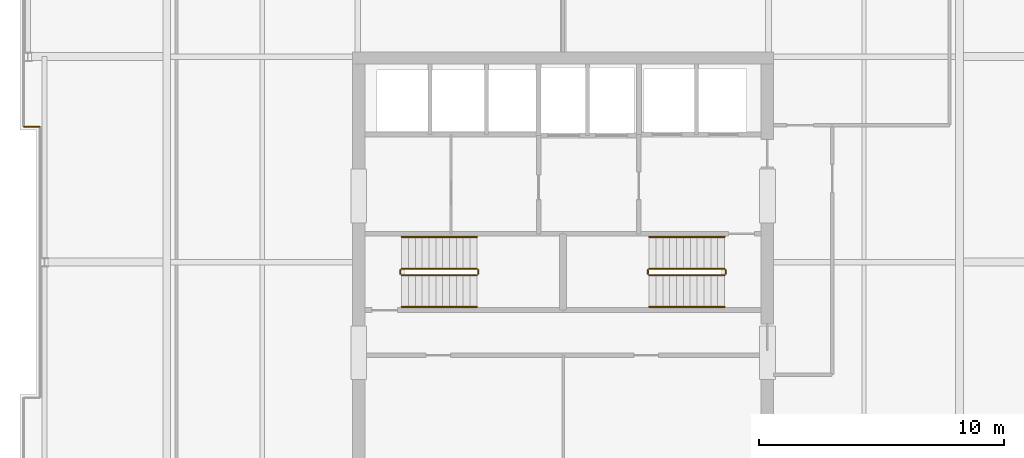
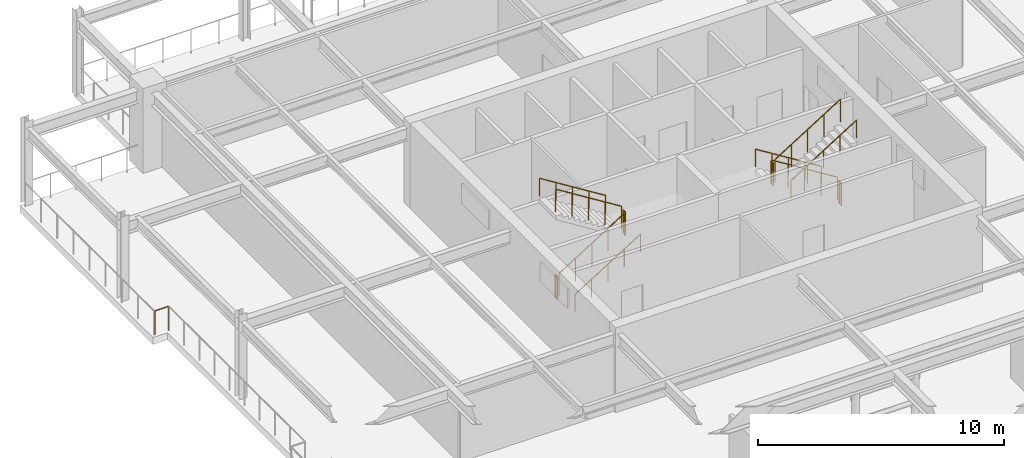
# One storey, part 12 of 13: 13 railings.
"""IFC4 building model written with IfcOpenShell, lengths in metres."""

from ifc_helpers import new_model, si_unit, direction, frame, origin, origin_2d, place, context, subcontext, project, spatial, circle, extrude, material, type_object, element, save


model = new_model("IFC4")

# Units and contexts
model_context = context("Model", 3, precision=1e-05, world=origin(), true_north=direction((0.0, 1.0)))
body_context = subcontext(model_context, "Body", "Model", "MODEL_VIEW")
ifc_project = project(units=[si_unit("LENGTHUNIT", "METRE"), si_unit("AREAUNIT", "SQUARE_METRE"), si_unit("VOLUMEUNIT", "CUBIC_METRE"), si_unit("PLANEANGLEUNIT", "RADIAN"), si_unit("MASSUNIT", "GRAM", prefix="KILO")], contexts=[model_context])

# Site, building, storey
site_placement = place(None, origin())
site = spatial("IfcSite", under=ifc_project, at=site_placement, CompositionType="ELEMENT")
building_placement = place(site_placement, origin())
building = spatial("IfcBuilding", under=site, at=building_placement, Name="Drelvath Grand Hotel", CompositionType="ELEMENT")
storey_placement = place(building_placement, frame((0.0, 0.0, 303.0)))
storey = spatial("IfcBuildingStorey", under=building, at=storey_placement, Name="L79", CompositionType="ELEMENT", Elevation=303.0)

# Railings
ifc_material_1 = material(Name="Painted Steel S275", Category="steel")
railing_type_1 = type_object("IfcRailingType", Name="Core Stair Wall Handrail 900", PredefinedType="HANDRAIL", material=ifc_material_1)
railing_1_placement = place(storey_placement, frame((-6.60009765625, 25.169921875, 0.175048828125)))
element("IfcRailing", 1, at=railing_1_placement, inside=storey, type_object=railing_type_1, Name="L79 ST-1 stair handrail 1", PredefinedType="HANDRAIL", context=body_context, shape_type="SweptSolid", body=[
    extrude(circle(Radius=0.02392578125, at=origin_2d()), frame((0.0, 0.0, 0.8759765625), z_axis=(0.847998304005, 0.0, 0.529998940003), x_axis=(0.0, 1.0, 0.0)), (0.0, 0.0, 1.0), 3.632080078125),
    extrude(circle(Radius=0.02099609375, at=origin_2d()), origin(), (0.0, 0.0, 1.0), 0.851806640625),
    extrude(circle(Radius=0.02099609375, at=origin_2d()), frame((0.77001953125, 0.0, 0.481201171875)), (0.0, 0.0, 1.0), 0.851806640625),
    extrude(circle(Radius=0.02099609375, at=origin_2d()), frame((1.5400390625, 0.0, 0.96240234375)), (0.0, 0.0, 1.0), 0.851806640625),
    extrude(circle(Radius=0.02099609375, at=origin_2d()), frame((2.31005859375, 0.0, 1.44384765625)), (0.0, 0.0, 1.0), 0.851806640625),
    extrude(circle(Radius=0.02099609375, at=origin_2d()), frame((3.080078125, 0.0, 1.925048828125)), (0.0, 0.0, 1.0), 0.851806640625),
])
for number, where, name in (
    (2, (-3.52001953125, 28.030029296875, 2.27490234375), "L79 ST-1 stair handrail 2"),
    (3, (6.60009765625, 28.030029296875, 0.175048828125), "L79 ST-2 stair handrail 1"),
):
    element("IfcRailing", number, at=place(storey_placement, frame(where)), inside=storey, type_object=railing_type_1, Name=name, PredefinedType="HANDRAIL", context=body_context, shape_type="SweptSolid", body=[
        extrude(circle(Radius=0.02392578125, at=origin_2d()), frame((0.0, 0.0, 0.8759765625), z_axis=(-0.847998304005, 0.0, 0.529998940003), x_axis=(0.0, -1.0, 0.0)), (0.0, 0.0, 1.0), 3.632080078125),
        extrude(circle(Radius=0.02099609375, at=origin_2d()), origin(), (0.0, 0.0, 1.0), 0.851806640625),
        extrude(circle(Radius=0.02099609375, at=origin_2d()), frame((-0.77001953125, 0.0, 0.481201171875)), (0.0, 0.0, 1.0), 0.851806640625),
        extrude(circle(Radius=0.02099609375, at=origin_2d()), frame((-1.5400390625, 0.0, 0.96240234375)), (0.0, 0.0, 1.0), 0.851806640625),
        extrude(circle(Radius=0.02099609375, at=origin_2d()), frame((-2.31005859375, 0.0, 1.44384765625)), (0.0, 0.0, 1.0), 0.851806640625),
        extrude(circle(Radius=0.02099609375, at=origin_2d()), frame((-3.080078125, 0.0, 1.925048828125)), (0.0, 0.0, 1.0), 0.851806640625),
    ])
railing_2_placement = place(storey_placement, frame((3.52001953125, 25.169921875, 2.27490234375)))
element("IfcRailing", 4, at=railing_2_placement, inside=storey, type_object=railing_type_1, Name="L79 ST-2 stair handrail 2", PredefinedType="HANDRAIL", context=body_context, shape_type="SweptSolid", body=[
    extrude(circle(Radius=0.02392578125, at=origin_2d()), frame((0.0, 0.0, 0.8759765625), z_axis=(0.847998304005, 0.0, 0.529998940003), x_axis=(0.0, 1.0, 0.0)), (0.0, 0.0, 1.0), 3.632080078125),
    extrude(circle(Radius=0.02099609375, at=origin_2d()), origin(), (0.0, 0.0, 1.0), 0.851806640625),
    extrude(circle(Radius=0.02099609375, at=origin_2d()), frame((0.77001953125, 0.0, 0.481201171875)), (0.0, 0.0, 1.0), 0.851806640625),
    extrude(circle(Radius=0.02099609375, at=origin_2d()), frame((1.5400390625, 0.0, 0.96240234375)), (0.0, 0.0, 1.0), 0.851806640625),
    extrude(circle(Radius=0.02099609375, at=origin_2d()), frame((2.31005859375, 0.0, 1.44384765625)), (0.0, 0.0, 1.0), 0.851806640625),
    extrude(circle(Radius=0.02099609375, at=origin_2d()), frame((3.080078125, 0.0, 1.925048828125)), (0.0, 0.0, 1.0), 0.851806640625),
])
railing_type_2 = type_object("IfcRailingType", Name="Core Stair Well Guardrail 1100", PredefinedType="GUARDRAIL", material=ifc_material_1)
railing_3_placement = place(storey_placement, frame((-6.60009765625, 26.469970703125, 0.175048828125)))
element("IfcRailing", 5, at=railing_3_placement, inside=storey, type_object=railing_type_2, Name="L79 ST-1 stair guard 1", PredefinedType="GUARDRAIL", context=body_context, shape_type="SweptSolid", body=[
    extrude(circle(Radius=0.02392578125, at=origin_2d()), frame((0.0, 0.0, 1.1259765625), z_axis=(0.847998304005, 0.0, 0.529998940003), x_axis=(0.0, 1.0, 0.0)), (0.0, 0.0, 1.0), 3.632080078125),
    extrude(circle(Radius=0.02099609375, at=origin_2d()), origin(), (0.0, 0.0, 1.0), 1.101806640625),
    extrude(circle(Radius=0.02099609375, at=origin_2d()), frame((0.77001953125, 0.0, 0.481201171875)), (0.0, 0.0, 1.0), 1.101806640625),
    extrude(circle(Radius=0.02099609375, at=origin_2d()), frame((1.5400390625, 0.0, 0.96240234375)), (0.0, 0.0, 1.0), 1.101806640625),
    extrude(circle(Radius=0.02099609375, at=origin_2d()), frame((2.31005859375, 0.0, 1.44384765625)), (0.0, 0.0, 1.0), 1.101806640625),
    extrude(circle(Radius=0.02099609375, at=origin_2d()), frame((3.080078125, 0.0, 1.925048828125)), (0.0, 0.0, 1.0), 1.101806640625),
])
railing_4_placement = place(storey_placement, frame((-3.469970703125, 26.52001953125, 2.10009765625)))
element("IfcRailing", 6, at=railing_4_placement, inside=storey, type_object=railing_type_2, Name="L79 ST-1 stair guard 2", PredefinedType="GUARDRAIL", context=body_context, shape_type="SweptSolid", body=[
    extrude(circle(Radius=0.02392578125, at=origin_2d()), frame((0.0, 0.0, 1.1259765625), z_axis=(0.0, 1.0, 0.0), x_axis=(-1.0, 0.0, 0.0)), (0.0, 0.0, 1.0), 0.159912109375),
    extrude(circle(Radius=0.02099609375, at=origin_2d()), origin(), (0.0, 0.0, 1.0), 1.101806640625),
    extrude(circle(Radius=0.02099609375, at=origin_2d()), frame((0.0, 0.159912109375, 0.0)), (0.0, 0.0, 1.0), 1.101806640625),
])
railing_5_placement = place(storey_placement, frame((-3.52001953125, 26.72998046875, 2.27490234375)))
element("IfcRailing", 7, at=railing_5_placement, inside=storey, type_object=railing_type_2, Name="L79 ST-1 stair guard 3", PredefinedType="GUARDRAIL", context=body_context, shape_type="SweptSolid", body=[
    extrude(circle(Radius=0.02392578125, at=origin_2d()), frame((0.0, 0.0, 1.1259765625), z_axis=(-0.847998304005, 0.0, 0.529998940003), x_axis=(0.0, -1.0, 0.0)), (0.0, 0.0, 1.0), 3.632080078125),
    extrude(circle(Radius=0.02099609375, at=origin_2d()), origin(), (0.0, 0.0, 1.0), 1.101806640625),
    extrude(circle(Radius=0.02099609375, at=origin_2d()), frame((-0.77001953125, 0.0, 0.481201171875)), (0.0, 0.0, 1.0), 1.101806640625),
    extrude(circle(Radius=0.02099609375, at=origin_2d()), frame((-1.5400390625, 0.0, 0.96240234375)), (0.0, 0.0, 1.0), 1.101806640625),
    extrude(circle(Radius=0.02099609375, at=origin_2d()), frame((-2.31005859375, 0.0, 1.44384765625)), (0.0, 0.0, 1.0), 1.101806640625),
    extrude(circle(Radius=0.02099609375, at=origin_2d()), frame((-3.080078125, 0.0, 1.925048828125)), (0.0, 0.0, 1.0), 1.101806640625),
])
railing_6_placement = place(storey_placement, frame((-6.64990234375, 26.52001953125, 0.0)))
element("IfcRailing", 8, at=railing_6_placement, inside=storey, type_object=railing_type_2, Name="L79 ST-1 stair guard 4", PredefinedType="GUARDRAIL", context=body_context, shape_type="SweptSolid", body=[
    extrude(circle(Radius=0.02392578125, at=origin_2d()), frame((0.0, 0.0, 1.1259765625), z_axis=(0.0, 1.0, 0.0), x_axis=(-1.0, 0.0, 0.0)), (0.0, 0.0, 1.0), 0.159912109375),
    extrude(circle(Radius=0.02099609375, at=origin_2d()), origin(), (0.0, 0.0, 1.0), 1.101806640625),
    extrude(circle(Radius=0.02099609375, at=origin_2d()), frame((0.0, 0.159912109375, 0.0)), (0.0, 0.0, 1.0), 1.101806640625),
])
railing_7_placement = place(storey_placement, frame((6.60009765625, 26.72998046875, 0.175048828125)))
element("IfcRailing", 9, at=railing_7_placement, inside=storey, type_object=railing_type_2, Name="L79 ST-2 stair guard 1", PredefinedType="GUARDRAIL", context=body_context, shape_type="SweptSolid", body=[
    extrude(circle(Radius=0.02392578125, at=origin_2d()), frame((0.0, 0.0, 1.1259765625), z_axis=(-0.847998304005, 0.0, 0.529998940003), x_axis=(0.0, -1.0, 0.0)), (0.0, 0.0, 1.0), 3.632080078125),
    extrude(circle(Radius=0.02099609375, at=origin_2d()), origin(), (0.0, 0.0, 1.0), 1.101806640625),
    extrude(circle(Radius=0.02099609375, at=origin_2d()), frame((-0.77001953125, 0.0, 0.481201171875)), (0.0, 0.0, 1.0), 1.101806640625),
    extrude(circle(Radius=0.02099609375, at=origin_2d()), frame((-1.5400390625, 0.0, 0.96240234375)), (0.0, 0.0, 1.0), 1.101806640625),
    extrude(circle(Radius=0.02099609375, at=origin_2d()), frame((-2.31005859375, 0.0, 1.44384765625)), (0.0, 0.0, 1.0), 1.101806640625),
    extrude(circle(Radius=0.02099609375, at=origin_2d()), frame((-3.080078125, 0.0, 1.925048828125)), (0.0, 0.0, 1.0), 1.101806640625),
])
railing_8_placement = place(storey_placement, frame((3.469970703125, 26.679931640625, 2.10009765625)))
element("IfcRailing", 10, at=railing_8_placement, inside=storey, type_object=railing_type_2, Name="L79 ST-2 stair guard 2", PredefinedType="GUARDRAIL", context=body_context, shape_type="SweptSolid", body=[
    extrude(circle(Radius=0.02392578125, at=origin_2d()), frame((0.0, 0.0, 1.1259765625), z_axis=(0.0, -1.0, 0.0), x_axis=(1.0, 0.0, 0.0)), (0.0, 0.0, 1.0), 0.159912109375),
    extrude(circle(Radius=0.02099609375, at=origin_2d()), origin(), (0.0, 0.0, 1.0), 1.101806640625),
    extrude(circle(Radius=0.02099609375, at=origin_2d()), frame((0.0, -0.159912109375, 0.0)), (0.0, 0.0, 1.0), 1.101806640625),
])
railing_9_placement = place(storey_placement, frame((3.52001953125, 26.469970703125, 2.27490234375)))
element("IfcRailing", 11, at=railing_9_placement, inside=storey, type_object=railing_type_2, Name="L79 ST-2 stair guard 3", PredefinedType="GUARDRAIL", context=body_context, shape_type="SweptSolid", body=[
    extrude(circle(Radius=0.02392578125, at=origin_2d()), frame((0.0, 0.0, 1.1259765625), z_axis=(0.847998304005, 0.0, 0.529998940003), x_axis=(0.0, 1.0, 0.0)), (0.0, 0.0, 1.0), 3.632080078125),
    extrude(circle(Radius=0.02099609375, at=origin_2d()), origin(), (0.0, 0.0, 1.0), 1.101806640625),
    extrude(circle(Radius=0.02099609375, at=origin_2d()), frame((0.77001953125, 0.0, 0.481201171875)), (0.0, 0.0, 1.0), 1.101806640625),
    extrude(circle(Radius=0.02099609375, at=origin_2d()), frame((1.5400390625, 0.0, 0.96240234375)), (0.0, 0.0, 1.0), 1.101806640625),
    extrude(circle(Radius=0.02099609375, at=origin_2d()), frame((2.31005859375, 0.0, 1.44384765625)), (0.0, 0.0, 1.0), 1.101806640625),
    extrude(circle(Radius=0.02099609375, at=origin_2d()), frame((3.080078125, 0.0, 1.925048828125)), (0.0, 0.0, 1.0), 1.101806640625),
])
railing_10_placement = place(storey_placement, frame((6.64990234375, 26.679931640625, 0.0)))
element("IfcRailing", 12, at=railing_10_placement, inside=storey, type_object=railing_type_2, Name="L79 ST-2 stair guard 4", PredefinedType="GUARDRAIL", context=body_context, shape_type="SweptSolid", body=[
    extrude(circle(Radius=0.02392578125, at=origin_2d()), frame((0.0, 0.0, 1.1259765625), z_axis=(0.0, -1.0, 0.0), x_axis=(1.0, 0.0, 0.0)), (0.0, 0.0, 1.0), 0.159912109375),
    extrude(circle(Radius=0.02099609375, at=origin_2d()), origin(), (0.0, 0.0, 1.0), 1.101806640625),
    extrude(circle(Radius=0.02099609375, at=origin_2d()), frame((0.0, -0.159912109375, 0.0)), (0.0, 0.0, 1.0), 1.101806640625),
])
ifc_material_2 = material(Name="Stainless Steel Grade 316 Guardrail", Category="steel")
railing_type_3 = type_object("IfcRailingType", Name="Open Wind-Slot Perimeter Guardrail 1200", PredefinedType="GUARDRAIL", material=ifc_material_2)
railing_11_placement = place(storey_placement, frame((-21.402099609375, 32.5400390625, 0.0)))
element("IfcRailing", 13, at=railing_11_placement, inside=storey, type_object=railing_type_3, Name="L79 Open Wind-Turbine Deck Perimeter Guardrail E06", PredefinedType="GUARDRAIL", context=body_context, shape_type="SweptSolid", body=[
    extrude(circle(Radius=0.02392578125, at=origin_2d()), frame((0.0, 0.0, 1.17578125), z_axis=(-1.0, 0.0, 0.0), x_axis=(0.0, -1.0, 0.0)), (0.0, 0.0, 1.0), 0.635986328125),
    extrude(circle(Radius=0.02099609375, at=origin_2d()), origin(), (0.0, 0.0, 1.0), 1.15185546875),
    extrude(circle(Radius=0.02099609375, at=origin_2d()), frame((-0.635986328125, 0.0, 0.0)), (0.0, 0.0, 1.0), 1.15185546875),
])

save(model, "model.ifc")
